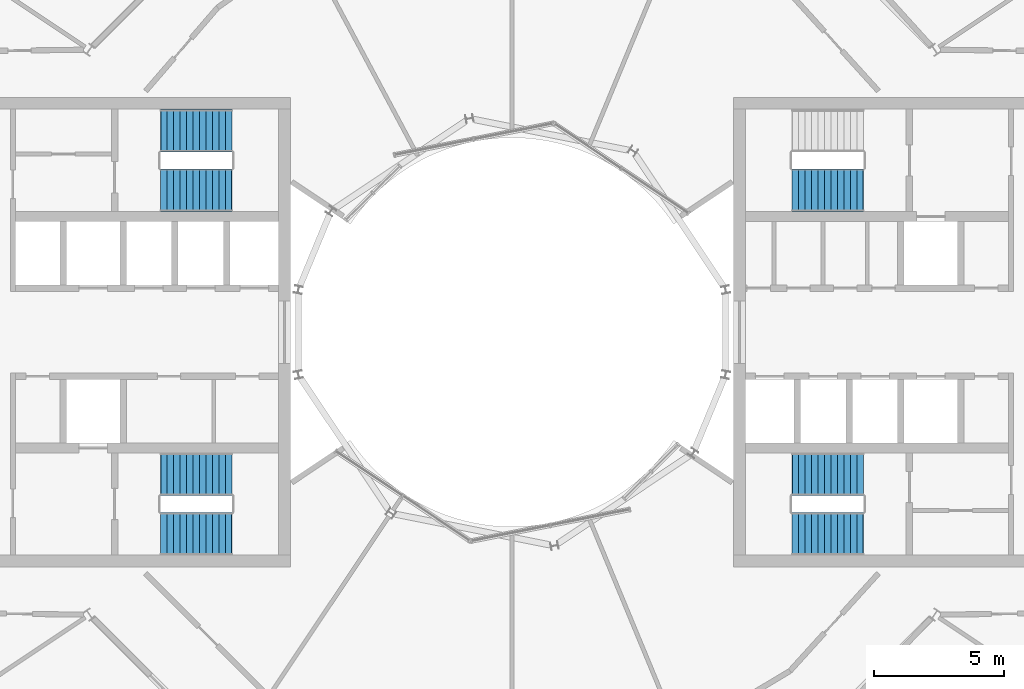
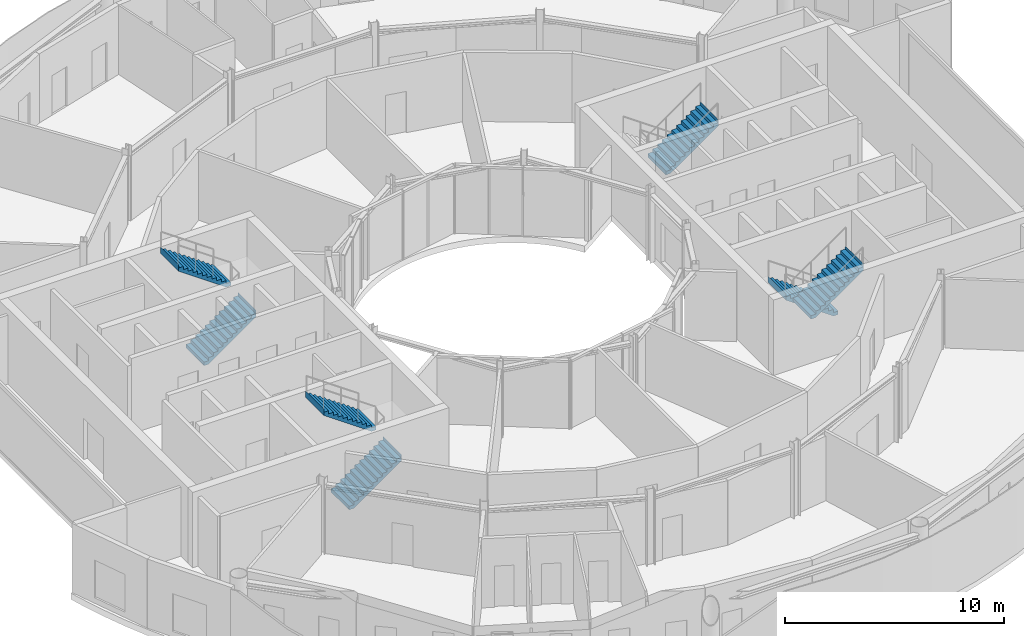
# One storey, part 20 of 22: 7 stair flights, 4 elements without a shape of their own.
"""IFC4 building model written with IfcOpenShell, lengths in metres."""

import ifcopenshell
import ifcopenshell.guid

model = None  # the IFC model being written
_history = None  # IfcOwnerHistory: only IFC2X3 demands one
_inside = {}  # id of a spatial element -> (the spatial element, [elements in it])
_under = {}  # id of a project, library or spatial element -> (it, [spatial elements below it])
_declared = {}  # id of a project -> (the project, [libraries it declares])
_typed = {}  # id of a type object -> (the type object, [elements of that type])
_made_of = {}  # id of a material, layer set ... -> (it, [elements and type objects made of it])


def new_model(schema):
    """Start an empty IFC model of exactly this schema.

    Asked for "IFC4X3", IfcOpenShell would pick the latest addendum, in which some entities
    have other attributes; the version numbers below select the first issue.
    IFC2X3 requires an IfcOwnerHistory on every rooted entity: one is made here for all.
    """
    global model, _history
    if schema == "IFC4X3":
        model = ifcopenshell.file(schema_version=(4, 3, 0, 0))
    else:
        model = ifcopenshell.file(schema=schema)
    _inside.clear()
    _under.clear()
    _declared.clear()
    _typed.clear()
    _made_of.clear()
    _history = None
    if model.schema == "IFC2X3":
        org = make("IfcOrganization", Name="unknown")
        user = make(
            "IfcPersonAndOrganization",
            ThePerson=make("IfcPerson", FamilyName="unknown"),
            TheOrganization=org,
        )
        app = make(
            "IfcApplication",
            ApplicationDeveloper=org,
            Version="unknown",
            ApplicationFullName="unknown",
            ApplicationIdentifier="unknown",
        )
        _history = make(
            "IfcOwnerHistory",
            OwningUser=user,
            OwningApplication=app,
            ChangeAction="ADDED",
            CreationDate=0,
        )
    return model


def make(cls, **values):
    """One entity of the class cls with the attributes given. An attribute that is None is left unset."""
    return model.create_entity(
        cls, **{name: value for name, value in values.items() if value is not None}
    )


def rooted(cls, **values):
    """An entity with a GlobalId (a new one), such as an element, a storey or a relation."""
    return make(cls, GlobalId=ifcopenshell.guid.new(), OwnerHistory=_history, **values)


def si_unit(unit_type, name, prefix=None):
    """IfcSIUnit, for example si_unit("LENGTHUNIT", "METRE", prefix="MILLI")."""
    return make("IfcSIUnit", UnitType=unit_type, Prefix=prefix, Name=name)


def assignment(units):
    """IfcUnitAssignment: the units of a project."""
    return None if units is None else make("IfcUnitAssignment", Units=units)


def point(xyz):
    """IfcCartesianPoint."""
    return None if xyz is None else make("IfcCartesianPoint", Coordinates=xyz)


def direction(xyz):
    """IfcDirection."""
    return None if xyz is None else make("IfcDirection", DirectionRatios=xyz)


def frame(location, z_axis=None, x_axis=None):
    """IfcAxis2Placement3D, a coordinate frame: its origin and axes. An axis left out is left unset."""
    return make(
        "IfcAxis2Placement3D",
        Location=point(location),
        Axis=direction(z_axis),
        RefDirection=direction(x_axis),
    )


def origin():
    """The frame at (0, 0, 0) with its axes left unset."""
    return frame((0.0, 0.0, 0.0))


def place(relative_to, where):
    """IfcLocalPlacement: puts the frame where relative to a parent placement (None: the world)."""
    return make(
        "IfcLocalPlacement", PlacementRelTo=relative_to, RelativePlacement=where
    )


def context(
    kind, dimensions, precision=None, world=None, true_north=None, identifier=None
):
    """IfcGeometricRepresentationContext, for example the 3D "Model" context."""
    return make(
        "IfcGeometricRepresentationContext",
        ContextIdentifier=identifier,
        ContextType=kind,
        CoordinateSpaceDimension=dimensions,
        Precision=precision,
        WorldCoordinateSystem=world,
        TrueNorth=true_north,
    )


def subcontext(parent, identifier, kind, view, scale=None):
    """IfcGeometricRepresentationSubContext, for example "Body" below "Model"."""
    return make(
        "IfcGeometricRepresentationSubContext",
        ContextIdentifier=identifier,
        ContextType=kind,
        ParentContext=parent,
        TargetScale=scale,
        TargetView=view,
    )


def project(units=None, contexts=None):
    """IfcProject with its units and contexts."""
    return rooted(
        "IfcProject",
        Name="project",
        RepresentationContexts=contexts,
        UnitsInContext=assignment(units),
    )


def spatial(cls, under=None, at=None, **own):
    """A site, building, storey or space (cls), placed at a placement, below another one or the project."""
    s = rooted(cls, ObjectPlacement=at, **own)
    if under is not None:
        _under.setdefault(under.id(), (under, []))[1].append(s)
    return s


def point_list(points):
    """IfcCartesianPointList2D or 3D."""
    cls = (
        "IfcCartesianPointList2D" if len(points[0]) == 2 else "IfcCartesianPointList3D"
    )
    return make(cls, CoordList=points)


def triangles(points, corners, closed=None, point_numbers=None):
    """IfcTriangulatedFaceSet: each triangle names its three corners, points numbered from 1."""
    return make(
        "IfcTriangulatedFaceSet",
        Coordinates=point_list(points),
        Closed=closed,
        CoordIndex=corners,
        PnIndex=point_numbers,
    )


def shape(context_of_items, identifier, shape_type, items):
    """IfcShapeRepresentation: the items that make up one representation, for example the "Body"."""
    return make(
        "IfcShapeRepresentation",
        ContextOfItems=context_of_items,
        RepresentationIdentifier=identifier,
        RepresentationType=shape_type,
        Items=items,
    )


def material(Name=None, Category=None):
    """IfcMaterial."""
    return make("IfcMaterial", Name=Name, Category=Category)


def made_of(thing, what):
    """Note that an element or type object is made of a material, layer set ...; save() writes the relation."""
    if what is not None:
        _made_of.setdefault(what.id(), (what, []))[1].append(thing)
    return thing


def type_object(cls, material=None, **own):
    """A type object (cls), such as IfcWallType, which elements share."""
    return made_of(rooted(cls, **own), material)


def element(
    cls,
    number,
    at=None,
    inside=None,
    cuts=None,
    type_object=None,
    material=None,
    context=None,
    identifier="Body",
    shape_type=None,
    held_by="IfcProductDefinitionShape",
    body=None,
    shapes=None,
    **own,
):
    """One element of the class cls, such as IfcWall. Its Tag is "e" and its number.

    at: its placement. inside: the storey or other place that contains it. cuts: it is an
    opening in that element (IfcRelVoidsElement). A single representation is given by context,
    identifier, shape_type and body (its items); several are given by shapes. held_by: the class
    of the entity that holds the representations. save() writes the other relations.
    """
    e = rooted(cls, Tag="e%d" % number, ObjectPlacement=at, **own)
    if body is not None:
        shapes = [shape(context, identifier, shape_type, body)]
    if shapes is not None:
        e.Representation = make(held_by, Representations=shapes)
    if inside is not None:
        _inside.setdefault(inside.id(), (inside, []))[1].append(e)
    if cuts is not None:
        rooted(
            "IfcRelVoidsElement", RelatingBuildingElement=cuts, RelatedOpeningElement=e
        )
    if type_object is not None:
        _typed.setdefault(type_object.id(), (type_object, []))[1].append(e)
    return made_of(e, material)


def aggregate(whole, parts):
    """IfcRelAggregates: a whole, such as a stair, and the parts it consists of."""
    return rooted("IfcRelAggregates", RelatingObject=whole, RelatedObjects=parts)


def save(model, path):
    """Write the relations noted so far, then the file.

    IfcRelAggregates (storeys below a building ...), IfcRelContainedInSpatialStructure (elements
    in a storey), IfcRelDefinesByType, IfcRelAssociatesMaterial and IfcRelDeclares: one each for
    every whole, place, type object, material and project.
    """
    for whole, parts in _under.values():
        aggregate(whole, parts)
    for where, things in _inside.values():
        rooted(
            "IfcRelContainedInSpatialStructure",
            RelatedElements=things,
            RelatingStructure=where,
        )
    for kind, things in _typed.values():
        rooted("IfcRelDefinesByType", RelatedObjects=things, RelatingType=kind)
    for what, things in _made_of.values():
        rooted("IfcRelAssociatesMaterial", RelatedObjects=things, RelatingMaterial=what)
    for by, libraries in _declared.values():
        rooted("IfcRelDeclares", RelatingContext=by, RelatedDefinitions=libraries)
    model.write(path)


model = new_model("IFC4")

# Units and contexts
model_context = context("Model", 3, precision=1e-05, world=origin(), true_north=direction((0.0, 1.0)))
body_context = subcontext(model_context, "Body", "Model", "MODEL_VIEW")
ifc_project = project(units=[si_unit("LENGTHUNIT", "METRE"), si_unit("AREAUNIT", "SQUARE_METRE"), si_unit("VOLUMEUNIT", "CUBIC_METRE"), si_unit("PLANEANGLEUNIT", "RADIAN"), si_unit("MASSUNIT", "GRAM", prefix="KILO")], contexts=[model_context])

# Site, building, storey
site_placement = place(None, origin())
site = spatial("IfcSite", under=ifc_project, at=site_placement, CompositionType="ELEMENT")
building_placement = place(site_placement, origin())
building = spatial("IfcBuilding", under=site, at=building_placement, Name="Maasbend Ring Residences", CompositionType="ELEMENT")
storey_placement = place(building_placement, frame((0.0, 0.0, 208.5)))
storey = spatial("IfcBuildingStorey", under=building, at=storey_placement, Name="L60", CompositionType="ELEMENT", Elevation=208.5)

# Stair, stair flight
ifc_material_1 = material(Name="Concrete C40/50", Category="concrete")
stair_type = type_object("IfcStairType", Name="CORE STAIR 24 RISERS", PredefinedType="HALF_TURN_STAIR", material=ifc_material_1)
stair_1_placement = place(storey_placement, origin())
stair_1 = element("IfcStair", 1, at=stair_1_placement, inside=storey, type_object=stair_type, Name="L60 Exit stair ST-E1", PredefinedType="HALF_TURN_STAIR")
ifc_material_2 = material(Name="Concrete C40/50", Category="concrete")
stair_flight_type = type_object("IfcStairFlightType", Name="CORE STAIR FLIGHT 1650", PredefinedType="STRAIGHT", material=ifc_material_2)
stair_flight_1_placement = place(storey_placement, frame((10.800048828125, 5.47509765625, 2.10009765625), z_axis=(0.0, 0.0, 1.0), x_axis=(1.0, 0.0, 0.0)))
stair_flight_1 = element("IfcStairFlight", 2, at=stair_flight_1_placement, type_object=stair_flight_type, Name="ST-E1 flight 2", NumberOfRisers=12, NumberOfTreads=11, PredefinedType="STRAIGHT", RiserHeight=0.175, TreadLength=0.25, context=body_context, shape_type="Tessellation", body=[
    triangles([(0.23583984375, 0.824951171875, -0.02001953125), (2.7529296875, 0.824951171875, 1.741943359375), (2.7529296875, 0.824951171875, 2.10009765625), (2.739990234375, 0.824951171875, 1.925048828125), (2.5, 0.824951171875, 1.925048828125), (2.5, 0.824951171875, 1.75), (2.25, 0.824951171875, 1.75), (2.25, 0.824951171875, 1.574951171875), (2.0, 0.824951171875, 1.574951171875), (2.0, 0.824951171875, 1.39990234375), (1.75, 0.824951171875, 1.39990234375), (1.75, 0.824951171875, 1.22509765625), (1.5, 0.824951171875, 1.22509765625), (1.5, 0.824951171875, 1.050048828125), (1.25, 0.824951171875, 1.050048828125), (1.25, 0.824951171875, 0.875), (1.0, 0.824951171875, 0.875), (1.0, 0.824951171875, 0.699951171875), (0.75, 0.824951171875, 0.699951171875), (0.75, 0.824951171875, 0.52490234375), (0.5, 0.824951171875, 0.52490234375), (0.5, 0.824951171875, 0.35009765625), (0.25, 0.824951171875, 0.35009765625), (0.25, 0.824951171875, 0.175048828125), (0.0, 0.824951171875, 0.175048828125), (0.0, 0.824951171875, 0.0), (-0.0029296875, 0.824951171875, 0.0), (-0.0029296875, 0.824951171875, -0.02001953125), (0.23583984375, -0.824951171875, -0.02001953125), (2.7529296875, -0.824951171875, 1.741943359375), (2.7529296875, -0.824951171875, 2.10009765625), (2.739990234375, -0.824951171875, 1.925048828125), (2.5, -0.824951171875, 1.925048828125), (2.5, -0.824951171875, 1.75), (2.25, -0.824951171875, 1.75), (2.25, -0.824951171875, 1.574951171875), (2.0, -0.824951171875, 1.574951171875), (2.0, -0.824951171875, 1.39990234375), (1.75, -0.824951171875, 1.39990234375), (1.75, -0.824951171875, 1.22509765625), (1.5, -0.824951171875, 1.22509765625), (1.5, -0.824951171875, 1.050048828125), (1.25, -0.824951171875, 1.050048828125), (1.25, -0.824951171875, 0.875), (1.0, -0.824951171875, 0.875), (1.0, -0.824951171875, 0.699951171875), (0.75, -0.824951171875, 0.699951171875), (0.75, -0.824951171875, 0.52490234375), (0.5, -0.824951171875, 0.52490234375), (0.5, -0.824951171875, 0.35009765625), (0.25, -0.824951171875, 0.35009765625), (0.25, -0.824951171875, 0.175048828125), (0.0, -0.824951171875, 0.175048828125), (0.0, -0.824951171875, 0.0), (-0.0029296875, -0.824951171875, 0.0), (-0.0029296875, -0.824951171875, -0.02001953125)], [[1, 2, 30], [1, 30, 29], [2, 3, 31], [2, 31, 30], [3, 4, 32], [3, 32, 31], [4, 5, 33], [4, 33, 32], [5, 6, 34], [5, 34, 33], [6, 7, 35], [6, 35, 34], [7, 8, 36], [7, 36, 35], [8, 9, 37], [8, 37, 36], [9, 10, 38], [9, 38, 37], [10, 11, 39], [10, 39, 38], [11, 12, 40], [11, 40, 39], [12, 13, 41], [12, 41, 40], [13, 14, 42], [13, 42, 41], [14, 15, 43], [14, 43, 42], [15, 16, 44], [15, 44, 43], [16, 17, 45], [16, 45, 44], [17, 18, 46], [17, 46, 45], [18, 19, 47], [18, 47, 46], [19, 20, 48], [19, 48, 47], [20, 21, 49], [20, 49, 48], [21, 22, 50], [21, 50, 49], [22, 23, 51], [22, 51, 50], [23, 24, 52], [23, 52, 51], [24, 25, 53], [24, 53, 52], [25, 26, 54], [25, 54, 53], [26, 27, 55], [26, 55, 54], [27, 28, 56], [27, 56, 55], [28, 1, 29], [28, 29, 56], [28, 2, 1], [2, 4, 3], [2, 5, 4], [2, 6, 5], [28, 6, 2], [6, 8, 7], [28, 8, 6], [8, 10, 9], [28, 10, 8], [10, 12, 11], [28, 12, 10], [12, 14, 13], [28, 14, 12], [14, 16, 15], [28, 16, 14], [16, 18, 17], [28, 18, 16], [18, 20, 19], [28, 20, 18], [20, 22, 21], [28, 22, 20], [22, 24, 23], [28, 24, 22], [24, 26, 25], [28, 26, 24], [26, 28, 27], [56, 29, 30], [30, 31, 32], [30, 32, 33], [30, 33, 34], [56, 30, 34], [34, 35, 36], [56, 34, 36], [36, 37, 38], [56, 36, 38], [38, 39, 40], [56, 38, 40], [40, 41, 42], [56, 40, 42], [42, 43, 44], [56, 42, 44], [44, 45, 46], [56, 44, 46], [46, 47, 48], [56, 46, 48], [48, 49, 50], [56, 48, 50], [50, 51, 52], [56, 50, 52], [52, 53, 54], [56, 52, 54], [54, 55, 56]], closed=True),
])
aggregate(stair_1, [stair_flight_1])

# Stair, stair flights
stair_2_placement = place(storey_placement, origin())
stair_2 = element("IfcStair", 3, at=stair_2_placement, inside=storey, type_object=stair_type, Name="L60 Exit stair ST-E2", PredefinedType="HALF_TURN_STAIR")
stair_flight_2_placement = place(storey_placement, frame((13.550048828125, -5.47509765625, 0.0), z_axis=(0.0, 0.0, 1.0), x_axis=(-1.0, 0.0, 0.0)))
stair_flight_2 = element("IfcStairFlight", 4, at=stair_flight_2_placement, type_object=stair_flight_type, Name="ST-E2 flight 1", NumberOfRisers=12, NumberOfTreads=11, PredefinedType="STRAIGHT", RiserHeight=0.175, TreadLength=0.25, context=body_context, shape_type="Tessellation", body=[
    triangles([(0.23583984375, 0.824951171875, -0.02001953125), (2.7529296875, 0.824951171875, 1.741943359375), (2.7529296875, 0.824951171875, 2.10009765625), (2.739990234375, 0.824951171875, 1.925048828125), (2.5, 0.824951171875, 1.925048828125), (2.5, 0.824951171875, 1.75), (2.25, 0.824951171875, 1.75), (2.25, 0.824951171875, 1.574951171875), (2.0, 0.824951171875, 1.574951171875), (2.0, 0.824951171875, 1.39990234375), (1.75, 0.824951171875, 1.39990234375), (1.75, 0.824951171875, 1.22509765625), (1.5, 0.824951171875, 1.22509765625), (1.5, 0.824951171875, 1.050048828125), (1.25, 0.824951171875, 1.050048828125), (1.25, 0.824951171875, 0.875), (1.0, 0.824951171875, 0.875), (1.0, 0.824951171875, 0.699951171875), (0.75, 0.824951171875, 0.699951171875), (0.75, 0.824951171875, 0.52490234375), (0.5, 0.824951171875, 0.52490234375), (0.5, 0.824951171875, 0.35009765625), (0.25, 0.824951171875, 0.35009765625), (0.25, 0.824951171875, 0.175048828125), (0.0, 0.824951171875, 0.175048828125), (0.0, 0.824951171875, 0.0), (-0.0029296875, 0.824951171875, 0.0), (-0.0029296875, 0.824951171875, -0.02001953125), (0.23583984375, -0.824951171875, -0.02001953125), (2.7529296875, -0.824951171875, 1.741943359375), (2.7529296875, -0.824951171875, 2.10009765625), (2.739990234375, -0.824951171875, 1.925048828125), (2.5, -0.824951171875, 1.925048828125), (2.5, -0.824951171875, 1.75), (2.25, -0.824951171875, 1.75), (2.25, -0.824951171875, 1.574951171875), (2.0, -0.824951171875, 1.574951171875), (2.0, -0.824951171875, 1.39990234375), (1.75, -0.824951171875, 1.39990234375), (1.75, -0.824951171875, 1.22509765625), (1.5, -0.824951171875, 1.22509765625), (1.5, -0.824951171875, 1.050048828125), (1.25, -0.824951171875, 1.050048828125), (1.25, -0.824951171875, 0.875), (1.0, -0.824951171875, 0.875), (1.0, -0.824951171875, 0.699951171875), (0.75, -0.824951171875, 0.699951171875), (0.75, -0.824951171875, 0.52490234375), (0.5, -0.824951171875, 0.52490234375), (0.5, -0.824951171875, 0.35009765625), (0.25, -0.824951171875, 0.35009765625), (0.25, -0.824951171875, 0.175048828125), (0.0, -0.824951171875, 0.175048828125), (0.0, -0.824951171875, 0.0), (-0.0029296875, -0.824951171875, 0.0), (-0.0029296875, -0.824951171875, -0.02001953125)], [[1, 2, 30], [1, 30, 29], [2, 3, 31], [2, 31, 30], [3, 4, 32], [3, 32, 31], [4, 5, 33], [4, 33, 32], [5, 6, 34], [5, 34, 33], [6, 7, 35], [6, 35, 34], [7, 8, 36], [7, 36, 35], [8, 9, 37], [8, 37, 36], [9, 10, 38], [9, 38, 37], [10, 11, 39], [10, 39, 38], [11, 12, 40], [11, 40, 39], [12, 13, 41], [12, 41, 40], [13, 14, 42], [13, 42, 41], [14, 15, 43], [14, 43, 42], [15, 16, 44], [15, 44, 43], [16, 17, 45], [16, 45, 44], [17, 18, 46], [17, 46, 45], [18, 19, 47], [18, 47, 46], [19, 20, 48], [19, 48, 47], [20, 21, 49], [20, 49, 48], [21, 22, 50], [21, 50, 49], [22, 23, 51], [22, 51, 50], [23, 24, 52], [23, 52, 51], [24, 25, 53], [24, 53, 52], [25, 26, 54], [25, 54, 53], [26, 27, 55], [26, 55, 54], [27, 28, 56], [27, 56, 55], [28, 1, 29], [28, 29, 56], [28, 2, 1], [2, 4, 3], [2, 5, 4], [2, 6, 5], [28, 6, 2], [6, 8, 7], [28, 8, 6], [8, 10, 9], [28, 10, 8], [10, 12, 11], [28, 12, 10], [12, 14, 13], [28, 14, 12], [14, 16, 15], [28, 16, 14], [16, 18, 17], [28, 18, 16], [18, 20, 19], [28, 20, 18], [20, 22, 21], [28, 22, 20], [22, 24, 23], [28, 24, 22], [24, 26, 25], [28, 26, 24], [26, 28, 27], [56, 29, 30], [30, 31, 32], [30, 32, 33], [30, 33, 34], [56, 30, 34], [34, 35, 36], [56, 34, 36], [36, 37, 38], [56, 36, 38], [38, 39, 40], [56, 38, 40], [40, 41, 42], [56, 40, 42], [42, 43, 44], [56, 42, 44], [44, 45, 46], [56, 44, 46], [46, 47, 48], [56, 46, 48], [48, 49, 50], [56, 48, 50], [50, 51, 52], [56, 50, 52], [52, 53, 54], [56, 52, 54], [54, 55, 56]], closed=True),
])
stair_flight_3_placement = place(storey_placement, frame((10.800048828125, -7.77490234375, 2.10009765625), z_axis=(0.0, 0.0, 1.0), x_axis=(1.0, 0.0, 0.0)))
stair_flight_3 = element("IfcStairFlight", 5, at=stair_flight_3_placement, type_object=stair_flight_type, Name="ST-E2 flight 2", NumberOfRisers=12, NumberOfTreads=11, PredefinedType="STRAIGHT", RiserHeight=0.175, TreadLength=0.25, context=body_context, shape_type="Tessellation", body=[
    triangles([(0.23583984375, 0.824951171875, -0.02001953125), (2.7529296875, 0.824951171875, 1.741943359375), (2.7529296875, 0.824951171875, 2.10009765625), (2.739990234375, 0.824951171875, 1.925048828125), (2.5, 0.824951171875, 1.925048828125), (2.5, 0.824951171875, 1.75), (2.25, 0.824951171875, 1.75), (2.25, 0.824951171875, 1.574951171875), (2.0, 0.824951171875, 1.574951171875), (2.0, 0.824951171875, 1.39990234375), (1.75, 0.824951171875, 1.39990234375), (1.75, 0.824951171875, 1.22509765625), (1.5, 0.824951171875, 1.22509765625), (1.5, 0.824951171875, 1.050048828125), (1.25, 0.824951171875, 1.050048828125), (1.25, 0.824951171875, 0.875), (1.0, 0.824951171875, 0.875), (1.0, 0.824951171875, 0.699951171875), (0.75, 0.824951171875, 0.699951171875), (0.75, 0.824951171875, 0.52490234375), (0.5, 0.824951171875, 0.52490234375), (0.5, 0.824951171875, 0.35009765625), (0.25, 0.824951171875, 0.35009765625), (0.25, 0.824951171875, 0.175048828125), (0.0, 0.824951171875, 0.175048828125), (0.0, 0.824951171875, 0.0), (-0.0029296875, 0.824951171875, 0.0), (-0.0029296875, 0.824951171875, -0.02001953125), (0.23583984375, -0.824951171875, -0.02001953125), (2.7529296875, -0.824951171875, 1.741943359375), (2.7529296875, -0.824951171875, 2.10009765625), (2.739990234375, -0.824951171875, 1.925048828125), (2.5, -0.824951171875, 1.925048828125), (2.5, -0.824951171875, 1.75), (2.25, -0.824951171875, 1.75), (2.25, -0.824951171875, 1.574951171875), (2.0, -0.824951171875, 1.574951171875), (2.0, -0.824951171875, 1.39990234375), (1.75, -0.824951171875, 1.39990234375), (1.75, -0.824951171875, 1.22509765625), (1.5, -0.824951171875, 1.22509765625), (1.5, -0.824951171875, 1.050048828125), (1.25, -0.824951171875, 1.050048828125), (1.25, -0.824951171875, 0.875), (1.0, -0.824951171875, 0.875), (1.0, -0.824951171875, 0.699951171875), (0.75, -0.824951171875, 0.699951171875), (0.75, -0.824951171875, 0.52490234375), (0.5, -0.824951171875, 0.52490234375), (0.5, -0.824951171875, 0.35009765625), (0.25, -0.824951171875, 0.35009765625), (0.25, -0.824951171875, 0.175048828125), (0.0, -0.824951171875, 0.175048828125), (0.0, -0.824951171875, 0.0), (-0.0029296875, -0.824951171875, 0.0), (-0.0029296875, -0.824951171875, -0.02001953125)], [[1, 2, 30], [1, 30, 29], [2, 3, 31], [2, 31, 30], [3, 4, 32], [3, 32, 31], [4, 5, 33], [4, 33, 32], [5, 6, 34], [5, 34, 33], [6, 7, 35], [6, 35, 34], [7, 8, 36], [7, 36, 35], [8, 9, 37], [8, 37, 36], [9, 10, 38], [9, 38, 37], [10, 11, 39], [10, 39, 38], [11, 12, 40], [11, 40, 39], [12, 13, 41], [12, 41, 40], [13, 14, 42], [13, 42, 41], [14, 15, 43], [14, 43, 42], [15, 16, 44], [15, 44, 43], [16, 17, 45], [16, 45, 44], [17, 18, 46], [17, 46, 45], [18, 19, 47], [18, 47, 46], [19, 20, 48], [19, 48, 47], [20, 21, 49], [20, 49, 48], [21, 22, 50], [21, 50, 49], [22, 23, 51], [22, 51, 50], [23, 24, 52], [23, 52, 51], [24, 25, 53], [24, 53, 52], [25, 26, 54], [25, 54, 53], [26, 27, 55], [26, 55, 54], [27, 28, 56], [27, 56, 55], [28, 1, 29], [28, 29, 56], [28, 2, 1], [2, 4, 3], [2, 5, 4], [2, 6, 5], [28, 6, 2], [6, 8, 7], [28, 8, 6], [8, 10, 9], [28, 10, 8], [10, 12, 11], [28, 12, 10], [12, 14, 13], [28, 14, 12], [14, 16, 15], [28, 16, 14], [16, 18, 17], [28, 18, 16], [18, 20, 19], [28, 20, 18], [20, 22, 21], [28, 22, 20], [22, 24, 23], [28, 24, 22], [24, 26, 25], [28, 26, 24], [26, 28, 27], [56, 29, 30], [30, 31, 32], [30, 32, 33], [30, 33, 34], [56, 30, 34], [34, 35, 36], [56, 34, 36], [36, 37, 38], [56, 36, 38], [38, 39, 40], [56, 38, 40], [40, 41, 42], [56, 40, 42], [42, 43, 44], [56, 42, 44], [44, 45, 46], [56, 44, 46], [46, 47, 48], [56, 46, 48], [48, 49, 50], [56, 48, 50], [50, 51, 52], [56, 50, 52], [52, 53, 54], [56, 52, 54], [54, 55, 56]], closed=True),
])
aggregate(stair_2, [stair_flight_2, stair_flight_3])

stair_3_placement = place(storey_placement, origin())
stair_3 = element("IfcStair", 6, at=stair_3_placement, inside=storey, type_object=stair_type, Name="L60 Exit stair ST-W1", PredefinedType="HALF_TURN_STAIR")
stair_flight_4_placement = place(storey_placement, frame((-13.550048828125, -7.77490234375, 0.0), z_axis=(0.0, 0.0, 1.0), x_axis=(1.0, 0.0, 0.0)))
stair_flight_4 = element("IfcStairFlight", 7, at=stair_flight_4_placement, type_object=stair_flight_type, Name="ST-W1 flight 1", NumberOfRisers=12, NumberOfTreads=11, PredefinedType="STRAIGHT", RiserHeight=0.175, TreadLength=0.25, context=body_context, shape_type="Tessellation", body=[
    triangles([(0.23583984375, 0.824951171875, -0.02001953125), (2.7529296875, 0.824951171875, 1.741943359375), (2.7529296875, 0.824951171875, 2.10009765625), (2.739990234375, 0.824951171875, 1.925048828125), (2.5, 0.824951171875, 1.925048828125), (2.5, 0.824951171875, 1.75), (2.25, 0.824951171875, 1.75), (2.25, 0.824951171875, 1.574951171875), (2.0, 0.824951171875, 1.574951171875), (2.0, 0.824951171875, 1.39990234375), (1.75, 0.824951171875, 1.39990234375), (1.75, 0.824951171875, 1.22509765625), (1.5, 0.824951171875, 1.22509765625), (1.5, 0.824951171875, 1.050048828125), (1.25, 0.824951171875, 1.050048828125), (1.25, 0.824951171875, 0.875), (1.0, 0.824951171875, 0.875), (1.0, 0.824951171875, 0.699951171875), (0.75, 0.824951171875, 0.699951171875), (0.75, 0.824951171875, 0.52490234375), (0.5, 0.824951171875, 0.52490234375), (0.5, 0.824951171875, 0.35009765625), (0.25, 0.824951171875, 0.35009765625), (0.25, 0.824951171875, 0.175048828125), (0.0, 0.824951171875, 0.175048828125), (0.0, 0.824951171875, 0.0), (-0.0029296875, 0.824951171875, 0.0), (-0.0029296875, 0.824951171875, -0.02001953125), (0.23583984375, -0.824951171875, -0.02001953125), (2.7529296875, -0.824951171875, 1.741943359375), (2.7529296875, -0.824951171875, 2.10009765625), (2.739990234375, -0.824951171875, 1.925048828125), (2.5, -0.824951171875, 1.925048828125), (2.5, -0.824951171875, 1.75), (2.25, -0.824951171875, 1.75), (2.25, -0.824951171875, 1.574951171875), (2.0, -0.824951171875, 1.574951171875), (2.0, -0.824951171875, 1.39990234375), (1.75, -0.824951171875, 1.39990234375), (1.75, -0.824951171875, 1.22509765625), (1.5, -0.824951171875, 1.22509765625), (1.5, -0.824951171875, 1.050048828125), (1.25, -0.824951171875, 1.050048828125), (1.25, -0.824951171875, 0.875), (1.0, -0.824951171875, 0.875), (1.0, -0.824951171875, 0.699951171875), (0.75, -0.824951171875, 0.699951171875), (0.75, -0.824951171875, 0.52490234375), (0.5, -0.824951171875, 0.52490234375), (0.5, -0.824951171875, 0.35009765625), (0.25, -0.824951171875, 0.35009765625), (0.25, -0.824951171875, 0.175048828125), (0.0, -0.824951171875, 0.175048828125), (0.0, -0.824951171875, 0.0), (-0.0029296875, -0.824951171875, 0.0), (-0.0029296875, -0.824951171875, -0.02001953125)], [[1, 2, 30], [1, 30, 29], [2, 3, 31], [2, 31, 30], [3, 4, 32], [3, 32, 31], [4, 5, 33], [4, 33, 32], [5, 6, 34], [5, 34, 33], [6, 7, 35], [6, 35, 34], [7, 8, 36], [7, 36, 35], [8, 9, 37], [8, 37, 36], [9, 10, 38], [9, 38, 37], [10, 11, 39], [10, 39, 38], [11, 12, 40], [11, 40, 39], [12, 13, 41], [12, 41, 40], [13, 14, 42], [13, 42, 41], [14, 15, 43], [14, 43, 42], [15, 16, 44], [15, 44, 43], [16, 17, 45], [16, 45, 44], [17, 18, 46], [17, 46, 45], [18, 19, 47], [18, 47, 46], [19, 20, 48], [19, 48, 47], [20, 21, 49], [20, 49, 48], [21, 22, 50], [21, 50, 49], [22, 23, 51], [22, 51, 50], [23, 24, 52], [23, 52, 51], [24, 25, 53], [24, 53, 52], [25, 26, 54], [25, 54, 53], [26, 27, 55], [26, 55, 54], [27, 28, 56], [27, 56, 55], [28, 1, 29], [28, 29, 56], [28, 2, 1], [2, 4, 3], [2, 5, 4], [2, 6, 5], [28, 6, 2], [6, 8, 7], [28, 8, 6], [8, 10, 9], [28, 10, 8], [10, 12, 11], [28, 12, 10], [12, 14, 13], [28, 14, 12], [14, 16, 15], [28, 16, 14], [16, 18, 17], [28, 18, 16], [18, 20, 19], [28, 20, 18], [20, 22, 21], [28, 22, 20], [22, 24, 23], [28, 24, 22], [24, 26, 25], [28, 26, 24], [26, 28, 27], [56, 29, 30], [30, 31, 32], [30, 32, 33], [30, 33, 34], [56, 30, 34], [34, 35, 36], [56, 34, 36], [36, 37, 38], [56, 36, 38], [38, 39, 40], [56, 38, 40], [40, 41, 42], [56, 40, 42], [42, 43, 44], [56, 42, 44], [44, 45, 46], [56, 44, 46], [46, 47, 48], [56, 46, 48], [48, 49, 50], [56, 48, 50], [50, 51, 52], [56, 50, 52], [52, 53, 54], [56, 52, 54], [54, 55, 56]], closed=True),
])
stair_flight_5_placement = place(storey_placement, frame((-10.800048828125, -5.47509765625, 2.10009765625), z_axis=(0.0, 0.0, 1.0), x_axis=(-1.0, 0.0, 0.0)))
stair_flight_5 = element("IfcStairFlight", 8, at=stair_flight_5_placement, type_object=stair_flight_type, Name="ST-W1 flight 2", NumberOfRisers=12, NumberOfTreads=11, PredefinedType="STRAIGHT", RiserHeight=0.175, TreadLength=0.25, context=body_context, shape_type="Tessellation", body=[
    triangles([(0.23583984375, 0.824951171875, -0.02001953125), (2.7529296875, 0.824951171875, 1.741943359375), (2.7529296875, 0.824951171875, 2.10009765625), (2.739990234375, 0.824951171875, 1.925048828125), (2.5, 0.824951171875, 1.925048828125), (2.5, 0.824951171875, 1.75), (2.25, 0.824951171875, 1.75), (2.25, 0.824951171875, 1.574951171875), (2.0, 0.824951171875, 1.574951171875), (2.0, 0.824951171875, 1.39990234375), (1.75, 0.824951171875, 1.39990234375), (1.75, 0.824951171875, 1.22509765625), (1.5, 0.824951171875, 1.22509765625), (1.5, 0.824951171875, 1.050048828125), (1.25, 0.824951171875, 1.050048828125), (1.25, 0.824951171875, 0.875), (1.0, 0.824951171875, 0.875), (1.0, 0.824951171875, 0.699951171875), (0.75, 0.824951171875, 0.699951171875), (0.75, 0.824951171875, 0.52490234375), (0.5, 0.824951171875, 0.52490234375), (0.5, 0.824951171875, 0.35009765625), (0.25, 0.824951171875, 0.35009765625), (0.25, 0.824951171875, 0.175048828125), (0.0, 0.824951171875, 0.175048828125), (0.0, 0.824951171875, 0.0), (-0.0029296875, 0.824951171875, 0.0), (-0.0029296875, 0.824951171875, -0.02001953125), (0.23583984375, -0.824951171875, -0.02001953125), (2.7529296875, -0.824951171875, 1.741943359375), (2.7529296875, -0.824951171875, 2.10009765625), (2.739990234375, -0.824951171875, 1.925048828125), (2.5, -0.824951171875, 1.925048828125), (2.5, -0.824951171875, 1.75), (2.25, -0.824951171875, 1.75), (2.25, -0.824951171875, 1.574951171875), (2.0, -0.824951171875, 1.574951171875), (2.0, -0.824951171875, 1.39990234375), (1.75, -0.824951171875, 1.39990234375), (1.75, -0.824951171875, 1.22509765625), (1.5, -0.824951171875, 1.22509765625), (1.5, -0.824951171875, 1.050048828125), (1.25, -0.824951171875, 1.050048828125), (1.25, -0.824951171875, 0.875), (1.0, -0.824951171875, 0.875), (1.0, -0.824951171875, 0.699951171875), (0.75, -0.824951171875, 0.699951171875), (0.75, -0.824951171875, 0.52490234375), (0.5, -0.824951171875, 0.52490234375), (0.5, -0.824951171875, 0.35009765625), (0.25, -0.824951171875, 0.35009765625), (0.25, -0.824951171875, 0.175048828125), (0.0, -0.824951171875, 0.175048828125), (0.0, -0.824951171875, 0.0), (-0.0029296875, -0.824951171875, 0.0), (-0.0029296875, -0.824951171875, -0.02001953125)], [[1, 2, 30], [1, 30, 29], [2, 3, 31], [2, 31, 30], [3, 4, 32], [3, 32, 31], [4, 5, 33], [4, 33, 32], [5, 6, 34], [5, 34, 33], [6, 7, 35], [6, 35, 34], [7, 8, 36], [7, 36, 35], [8, 9, 37], [8, 37, 36], [9, 10, 38], [9, 38, 37], [10, 11, 39], [10, 39, 38], [11, 12, 40], [11, 40, 39], [12, 13, 41], [12, 41, 40], [13, 14, 42], [13, 42, 41], [14, 15, 43], [14, 43, 42], [15, 16, 44], [15, 44, 43], [16, 17, 45], [16, 45, 44], [17, 18, 46], [17, 46, 45], [18, 19, 47], [18, 47, 46], [19, 20, 48], [19, 48, 47], [20, 21, 49], [20, 49, 48], [21, 22, 50], [21, 50, 49], [22, 23, 51], [22, 51, 50], [23, 24, 52], [23, 52, 51], [24, 25, 53], [24, 53, 52], [25, 26, 54], [25, 54, 53], [26, 27, 55], [26, 55, 54], [27, 28, 56], [27, 56, 55], [28, 1, 29], [28, 29, 56], [28, 2, 1], [2, 4, 3], [2, 5, 4], [2, 6, 5], [28, 6, 2], [6, 8, 7], [28, 8, 6], [8, 10, 9], [28, 10, 8], [10, 12, 11], [28, 12, 10], [12, 14, 13], [28, 14, 12], [14, 16, 15], [28, 16, 14], [16, 18, 17], [28, 18, 16], [18, 20, 19], [28, 20, 18], [20, 22, 21], [28, 22, 20], [22, 24, 23], [28, 24, 22], [24, 26, 25], [28, 26, 24], [26, 28, 27], [56, 29, 30], [30, 31, 32], [30, 32, 33], [30, 33, 34], [56, 30, 34], [34, 35, 36], [56, 34, 36], [36, 37, 38], [56, 36, 38], [38, 39, 40], [56, 38, 40], [40, 41, 42], [56, 40, 42], [42, 43, 44], [56, 42, 44], [44, 45, 46], [56, 44, 46], [46, 47, 48], [56, 46, 48], [48, 49, 50], [56, 48, 50], [50, 51, 52], [56, 50, 52], [52, 53, 54], [56, 52, 54], [54, 55, 56]], closed=True),
])
aggregate(stair_3, [stair_flight_4, stair_flight_5])

stair_4_placement = place(storey_placement, origin())
stair_4 = element("IfcStair", 9, at=stair_4_placement, inside=storey, type_object=stair_type, Name="L60 Exit stair ST-W2", PredefinedType="HALF_TURN_STAIR")
stair_flight_6_placement = place(storey_placement, frame((-13.550048828125, 5.47509765625, 0.0), z_axis=(0.0, 0.0, 1.0), x_axis=(1.0, 0.0, 0.0)))
stair_flight_6 = element("IfcStairFlight", 10, at=stair_flight_6_placement, type_object=stair_flight_type, Name="ST-W2 flight 1", NumberOfRisers=12, NumberOfTreads=11, PredefinedType="STRAIGHT", RiserHeight=0.175, TreadLength=0.25, context=body_context, shape_type="Tessellation", body=[
    triangles([(0.23583984375, 0.824951171875, -0.02001953125), (2.7529296875, 0.824951171875, 1.741943359375), (2.7529296875, 0.824951171875, 2.10009765625), (2.739990234375, 0.824951171875, 1.925048828125), (2.5, 0.824951171875, 1.925048828125), (2.5, 0.824951171875, 1.75), (2.25, 0.824951171875, 1.75), (2.25, 0.824951171875, 1.574951171875), (2.0, 0.824951171875, 1.574951171875), (2.0, 0.824951171875, 1.39990234375), (1.75, 0.824951171875, 1.39990234375), (1.75, 0.824951171875, 1.22509765625), (1.5, 0.824951171875, 1.22509765625), (1.5, 0.824951171875, 1.050048828125), (1.25, 0.824951171875, 1.050048828125), (1.25, 0.824951171875, 0.875), (1.0, 0.824951171875, 0.875), (1.0, 0.824951171875, 0.699951171875), (0.75, 0.824951171875, 0.699951171875), (0.75, 0.824951171875, 0.52490234375), (0.5, 0.824951171875, 0.52490234375), (0.5, 0.824951171875, 0.35009765625), (0.25, 0.824951171875, 0.35009765625), (0.25, 0.824951171875, 0.175048828125), (0.0, 0.824951171875, 0.175048828125), (0.0, 0.824951171875, 0.0), (-0.0029296875, 0.824951171875, 0.0), (-0.0029296875, 0.824951171875, -0.02001953125), (0.23583984375, -0.824951171875, -0.02001953125), (2.7529296875, -0.824951171875, 1.741943359375), (2.7529296875, -0.824951171875, 2.10009765625), (2.739990234375, -0.824951171875, 1.925048828125), (2.5, -0.824951171875, 1.925048828125), (2.5, -0.824951171875, 1.75), (2.25, -0.824951171875, 1.75), (2.25, -0.824951171875, 1.574951171875), (2.0, -0.824951171875, 1.574951171875), (2.0, -0.824951171875, 1.39990234375), (1.75, -0.824951171875, 1.39990234375), (1.75, -0.824951171875, 1.22509765625), (1.5, -0.824951171875, 1.22509765625), (1.5, -0.824951171875, 1.050048828125), (1.25, -0.824951171875, 1.050048828125), (1.25, -0.824951171875, 0.875), (1.0, -0.824951171875, 0.875), (1.0, -0.824951171875, 0.699951171875), (0.75, -0.824951171875, 0.699951171875), (0.75, -0.824951171875, 0.52490234375), (0.5, -0.824951171875, 0.52490234375), (0.5, -0.824951171875, 0.35009765625), (0.25, -0.824951171875, 0.35009765625), (0.25, -0.824951171875, 0.175048828125), (0.0, -0.824951171875, 0.175048828125), (0.0, -0.824951171875, 0.0), (-0.0029296875, -0.824951171875, 0.0), (-0.0029296875, -0.824951171875, -0.02001953125)], [[1, 2, 30], [1, 30, 29], [2, 3, 31], [2, 31, 30], [3, 4, 32], [3, 32, 31], [4, 5, 33], [4, 33, 32], [5, 6, 34], [5, 34, 33], [6, 7, 35], [6, 35, 34], [7, 8, 36], [7, 36, 35], [8, 9, 37], [8, 37, 36], [9, 10, 38], [9, 38, 37], [10, 11, 39], [10, 39, 38], [11, 12, 40], [11, 40, 39], [12, 13, 41], [12, 41, 40], [13, 14, 42], [13, 42, 41], [14, 15, 43], [14, 43, 42], [15, 16, 44], [15, 44, 43], [16, 17, 45], [16, 45, 44], [17, 18, 46], [17, 46, 45], [18, 19, 47], [18, 47, 46], [19, 20, 48], [19, 48, 47], [20, 21, 49], [20, 49, 48], [21, 22, 50], [21, 50, 49], [22, 23, 51], [22, 51, 50], [23, 24, 52], [23, 52, 51], [24, 25, 53], [24, 53, 52], [25, 26, 54], [25, 54, 53], [26, 27, 55], [26, 55, 54], [27, 28, 56], [27, 56, 55], [28, 1, 29], [28, 29, 56], [28, 2, 1], [2, 4, 3], [2, 5, 4], [2, 6, 5], [28, 6, 2], [6, 8, 7], [28, 8, 6], [8, 10, 9], [28, 10, 8], [10, 12, 11], [28, 12, 10], [12, 14, 13], [28, 14, 12], [14, 16, 15], [28, 16, 14], [16, 18, 17], [28, 18, 16], [18, 20, 19], [28, 20, 18], [20, 22, 21], [28, 22, 20], [22, 24, 23], [28, 24, 22], [24, 26, 25], [28, 26, 24], [26, 28, 27], [56, 29, 30], [30, 31, 32], [30, 32, 33], [30, 33, 34], [56, 30, 34], [34, 35, 36], [56, 34, 36], [36, 37, 38], [56, 36, 38], [38, 39, 40], [56, 38, 40], [40, 41, 42], [56, 40, 42], [42, 43, 44], [56, 42, 44], [44, 45, 46], [56, 44, 46], [46, 47, 48], [56, 46, 48], [48, 49, 50], [56, 48, 50], [50, 51, 52], [56, 50, 52], [52, 53, 54], [56, 52, 54], [54, 55, 56]], closed=True),
])
stair_flight_7_placement = place(storey_placement, frame((-10.800048828125, 7.77490234375, 2.10009765625), z_axis=(0.0, 0.0, 1.0), x_axis=(-1.0, 0.0, 0.0)))
stair_flight_7 = element("IfcStairFlight", 11, at=stair_flight_7_placement, type_object=stair_flight_type, Name="ST-W2 flight 2", NumberOfRisers=12, NumberOfTreads=11, PredefinedType="STRAIGHT", RiserHeight=0.175, TreadLength=0.25, context=body_context, shape_type="Tessellation", body=[
    triangles([(0.23583984375, 0.824951171875, -0.02001953125), (2.7529296875, 0.824951171875, 1.741943359375), (2.7529296875, 0.824951171875, 2.10009765625), (2.739990234375, 0.824951171875, 1.925048828125), (2.5, 0.824951171875, 1.925048828125), (2.5, 0.824951171875, 1.75), (2.25, 0.824951171875, 1.75), (2.25, 0.824951171875, 1.574951171875), (2.0, 0.824951171875, 1.574951171875), (2.0, 0.824951171875, 1.39990234375), (1.75, 0.824951171875, 1.39990234375), (1.75, 0.824951171875, 1.22509765625), (1.5, 0.824951171875, 1.22509765625), (1.5, 0.824951171875, 1.050048828125), (1.25, 0.824951171875, 1.050048828125), (1.25, 0.824951171875, 0.875), (1.0, 0.824951171875, 0.875), (1.0, 0.824951171875, 0.699951171875), (0.75, 0.824951171875, 0.699951171875), (0.75, 0.824951171875, 0.52490234375), (0.5, 0.824951171875, 0.52490234375), (0.5, 0.824951171875, 0.35009765625), (0.25, 0.824951171875, 0.35009765625), (0.25, 0.824951171875, 0.175048828125), (0.0, 0.824951171875, 0.175048828125), (0.0, 0.824951171875, 0.0), (-0.0029296875, 0.824951171875, 0.0), (-0.0029296875, 0.824951171875, -0.02001953125), (0.23583984375, -0.824951171875, -0.02001953125), (2.7529296875, -0.824951171875, 1.741943359375), (2.7529296875, -0.824951171875, 2.10009765625), (2.739990234375, -0.824951171875, 1.925048828125), (2.5, -0.824951171875, 1.925048828125), (2.5, -0.824951171875, 1.75), (2.25, -0.824951171875, 1.75), (2.25, -0.824951171875, 1.574951171875), (2.0, -0.824951171875, 1.574951171875), (2.0, -0.824951171875, 1.39990234375), (1.75, -0.824951171875, 1.39990234375), (1.75, -0.824951171875, 1.22509765625), (1.5, -0.824951171875, 1.22509765625), (1.5, -0.824951171875, 1.050048828125), (1.25, -0.824951171875, 1.050048828125), (1.25, -0.824951171875, 0.875), (1.0, -0.824951171875, 0.875), (1.0, -0.824951171875, 0.699951171875), (0.75, -0.824951171875, 0.699951171875), (0.75, -0.824951171875, 0.52490234375), (0.5, -0.824951171875, 0.52490234375), (0.5, -0.824951171875, 0.35009765625), (0.25, -0.824951171875, 0.35009765625), (0.25, -0.824951171875, 0.175048828125), (0.0, -0.824951171875, 0.175048828125), (0.0, -0.824951171875, 0.0), (-0.0029296875, -0.824951171875, 0.0), (-0.0029296875, -0.824951171875, -0.02001953125)], [[1, 2, 30], [1, 30, 29], [2, 3, 31], [2, 31, 30], [3, 4, 32], [3, 32, 31], [4, 5, 33], [4, 33, 32], [5, 6, 34], [5, 34, 33], [6, 7, 35], [6, 35, 34], [7, 8, 36], [7, 36, 35], [8, 9, 37], [8, 37, 36], [9, 10, 38], [9, 38, 37], [10, 11, 39], [10, 39, 38], [11, 12, 40], [11, 40, 39], [12, 13, 41], [12, 41, 40], [13, 14, 42], [13, 42, 41], [14, 15, 43], [14, 43, 42], [15, 16, 44], [15, 44, 43], [16, 17, 45], [16, 45, 44], [17, 18, 46], [17, 46, 45], [18, 19, 47], [18, 47, 46], [19, 20, 48], [19, 48, 47], [20, 21, 49], [20, 49, 48], [21, 22, 50], [21, 50, 49], [22, 23, 51], [22, 51, 50], [23, 24, 52], [23, 52, 51], [24, 25, 53], [24, 53, 52], [25, 26, 54], [25, 54, 53], [26, 27, 55], [26, 55, 54], [27, 28, 56], [27, 56, 55], [28, 1, 29], [28, 29, 56], [28, 2, 1], [2, 4, 3], [2, 5, 4], [2, 6, 5], [28, 6, 2], [6, 8, 7], [28, 8, 6], [8, 10, 9], [28, 10, 8], [10, 12, 11], [28, 12, 10], [12, 14, 13], [28, 14, 12], [14, 16, 15], [28, 16, 14], [16, 18, 17], [28, 18, 16], [18, 20, 19], [28, 20, 18], [20, 22, 21], [28, 22, 20], [22, 24, 23], [28, 24, 22], [24, 26, 25], [28, 26, 24], [26, 28, 27], [56, 29, 30], [30, 31, 32], [30, 32, 33], [30, 33, 34], [56, 30, 34], [34, 35, 36], [56, 34, 36], [36, 37, 38], [56, 36, 38], [38, 39, 40], [56, 38, 40], [40, 41, 42], [56, 40, 42], [42, 43, 44], [56, 42, 44], [44, 45, 46], [56, 44, 46], [46, 47, 48], [56, 46, 48], [48, 49, 50], [56, 48, 50], [50, 51, 52], [56, 50, 52], [52, 53, 54], [56, 52, 54], [54, 55, 56]], closed=True),
])
aggregate(stair_4, [stair_flight_6, stair_flight_7])

save(model, "model.ifc")
